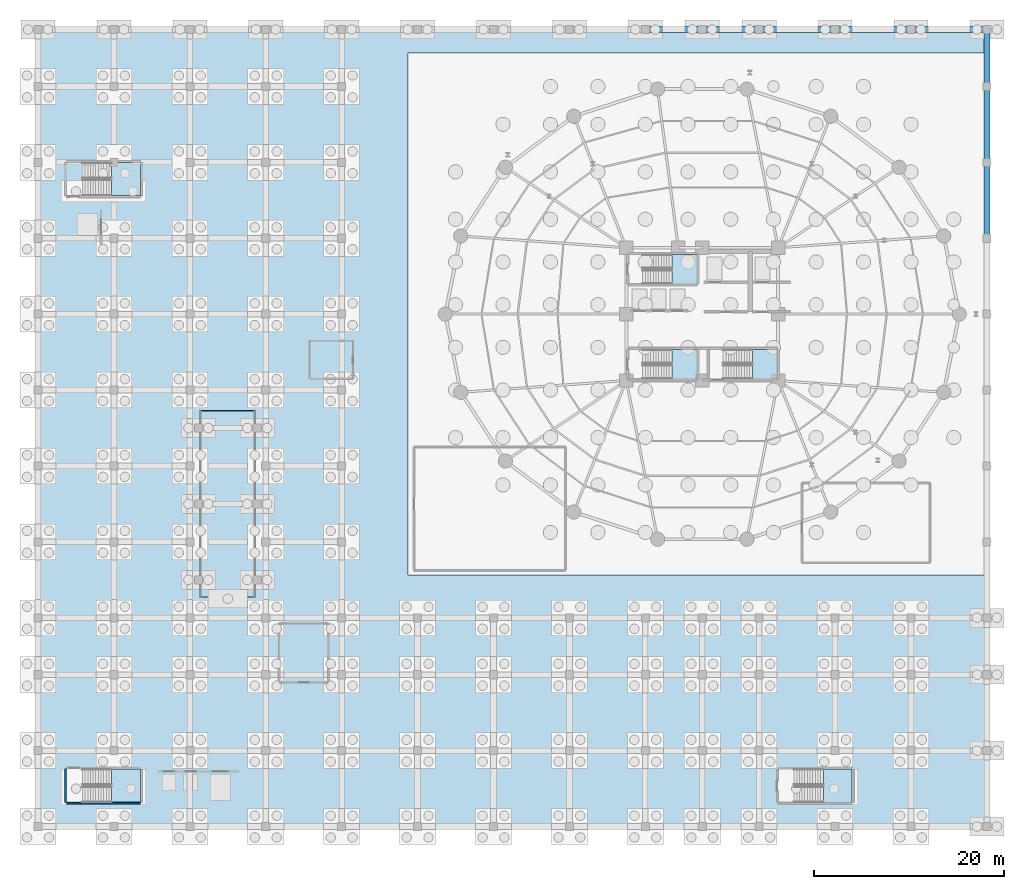
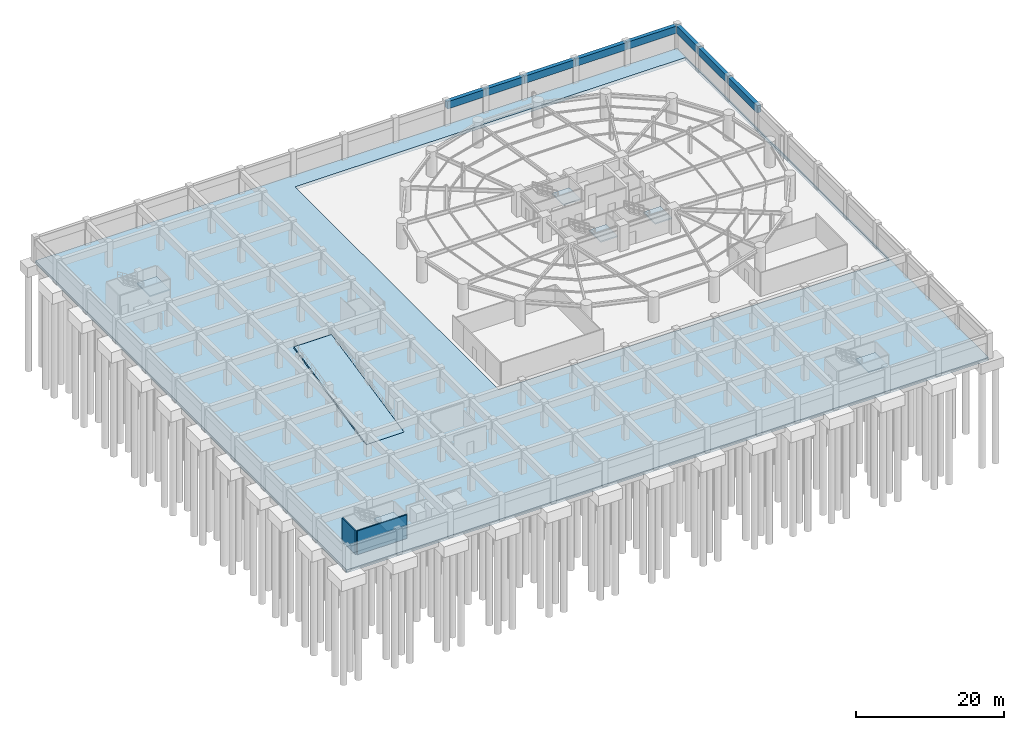
# One storey, part 11 of 23: 8 beams, 8 slabs, 2 walls, 6 elements without a shape of their own.
"""IFC4 building model written with IfcOpenShell, lengths in metres."""

from ifc_helpers import new_model, si_unit, direction, frame, frame_2d, origin, origin_2d, place, context, subcontext, project, spatial, polyline, rectangle, outline, extrude, material, layer, layer_set, material_profile, profile_set, type_object, element, aggregate, save


model = new_model("IFC4")

# Units and contexts
model_context = context("Model", 3, precision=1e-05, world=origin(), true_north=direction((0.0, 1.0)))
body_context = subcontext(model_context, "Body", "Model", "MODEL_VIEW")
ifc_project = project(units=[si_unit("LENGTHUNIT", "METRE"), si_unit("AREAUNIT", "SQUARE_METRE"), si_unit("VOLUMEUNIT", "CUBIC_METRE"), si_unit("PLANEANGLEUNIT", "RADIAN"), si_unit("MASSUNIT", "GRAM", prefix="KILO")], contexts=[model_context])

# Site, building, storey
site_placement = place(None, origin())
site = spatial("IfcSite", under=ifc_project, at=site_placement, CompositionType="ELEMENT")
building_placement = place(site_placement, origin())
building = spatial("IfcBuilding", under=site, at=building_placement, Name="Kelanora Arch Commons", CompositionType="ELEMENT")
storey_placement = place(building_placement, frame((0.0, 0.0, -8.39990234375)))
storey = spatial("IfcBuildingStorey", under=building, at=storey_placement, Name="B02", CompositionType="ELEMENT", Elevation=-8.39990234375)

# Beams
ifc_material_1 = material(Name="Concrete C45/55", Category="concrete")
ifc_material_profile = material_profile(ifc_material_1, rectangle(XDim=0.60009765625, YDim=1.199951171875, at=origin_2d()), Name="RCB600x1200")
ifc_profile_set = profile_set([ifc_material_profile], Name="Concrete C45/55")
beam_type = type_object("IfcBeamType", Name="BM-BSMT-RC", PredefinedType="BEAM", material=ifc_profile_set)
for number, where, z_axis, x_axis, name in (
    (1, (68.0, 88.0, 3.2998046875), (1.0, 0.0, 0.0), (0.0, 1.0, 0.0), "Market/Basement Frame Beam 133 B02"),
    (2, (74.0, 88.0, 3.2998046875), (1.0, 0.0, 0.0), (0.0, 1.0, 0.0), "Market/Basement Frame Beam 141 B02"),
):
    element("IfcBeam", number, at=place(storey_placement, frame(where, z_axis=z_axis, x_axis=x_axis)), inside=storey, type_object=beam_type, Name=name, PredefinedType="BEAM", context=body_context, shape_type="SweptSolid", body=[
        extrude(rectangle(XDim=0.60009765625, YDim=1.199951171875, at=origin_2d()), origin(), (0.0, 0.0, 1.0), 6.0),
    ])
for number, where, z_axis, x_axis, name in (
    (3, (80.0, 88.0, 3.2998046875), (1.0, 0.0, 0.0), (0.0, 1.0, 0.0), "Market/Basement Frame Beam 149 B02"),
    (4, (88.0, 88.0, 3.2998046875), (1.0, 0.0, 0.0), (0.0, 1.0, 0.0), "Market/Basement Frame Beam 156 B02"),
    (5, (96.0, 88.0, 3.2998046875), (1.0, 0.0, 0.0), (0.0, 1.0, 0.0), "Market/Basement Frame Beam 164 B02"),
    (6, (104.0, 66.0, 3.2998046875), (0.0, 1.0, 0.0), (-1.0, 0.0, 0.0), "Market/Basement Frame Beam 173 B02"),
    (7, (104.0, 74.0, 3.2998046875), (0.0, 1.0, 0.0), (-1.0, 0.0, 0.0), "Market/Basement Frame Beam 174 B02"),
):
    element("IfcBeam", number, at=place(storey_placement, frame(where, z_axis=z_axis, x_axis=x_axis)), inside=storey, type_object=beam_type, Name=name, PredefinedType="BEAM", context=body_context, shape_type="SweptSolid", body=[
        extrude(rectangle(XDim=0.60009765625, YDim=1.199951171875, at=origin_2d()), origin(), (0.0, 0.0, 1.0), 8.0),
    ])
beam_placement = place(storey_placement, frame((104.0, 82.0, 3.2998046875), z_axis=(0.0, 1.0, 0.0), x_axis=(-1.0, 0.0, 0.0)))
element("IfcBeam", 8, at=beam_placement, inside=storey, type_object=beam_type, Name="Market/Basement Frame Beam 175 B02", PredefinedType="BEAM", context=body_context, shape_type="SweptSolid", body=[
    extrude(rectangle(XDim=0.60009765625, YDim=1.199951171875, at=origin_2d()), origin(), (0.0, 0.0, 1.0), 6.0),
])

# Slab
ifc_layer_1 = layer(ifc_material_1, 0.5)
ifc_layer_set_1 = layer_set([ifc_layer_1], Name="Concrete C45/55")
slab_type_1 = type_object("IfcSlabType", Name="SLB-BSMT-BASE", PredefinedType="BASESLAB", material=ifc_layer_set_1)
slab_1_placement = place(storey_placement, frame((0.0, 0.0, -0.5)))
element("IfcSlab", 9, at=slab_1_placement, inside=storey, type_object=slab_type_1, Name="Basement B02 Structural Base Slab", PredefinedType="BASESLAB", context=body_context, shape_type="SweptSolid", body=[
    extrude(outline(polyline([(4.0, 4.0), (104.0, 4.0), (104.0, 88.0), (4.0, 88.0), (4.0, 4.0)]), holes=[polyline([(26.93994140625, 29.64990234375), (26.93994140625, 28.199951171875), (21.06005859375, 28.199951171875), (21.06005859375, 29.64990234375), (26.93994140625, 29.64990234375)]), polyline([(43.0, 85.5), (103.820068359375, 85.5), (103.820068359375, 30.5), (43.0, 30.5), (43.0, 85.5)])]), origin(), (0.0, 0.0, 1.0), 0.5),
])

# Stair, slab
ifc_material_2 = material(Name="Concrete C40/50", Category="concrete")
stair_type = type_object("IfcStairType", Name="STR-DL-420", PredefinedType="HALF_TURN_STAIR", material=ifc_material_2)
stair_1_placement = place(storey_placement, origin())
stair_1 = element("IfcStair", 10, at=stair_1_placement, inside=storey, type_object=stair_type, Name="B02 ST-T1", PredefinedType="HALF_TURN_STAIR")
ifc_layer_2 = layer(ifc_material_2, 0.199951171875)
ifc_layer_set_2 = layer_set([ifc_layer_2], Name="Concrete C40/50")
slab_type_2 = type_object("IfcSlabType", Name="SLB-STAIR-LND", PredefinedType="LANDING", material=ifc_layer_set_2)
slab_2_placement = place(storey_placement, frame((0.0, 0.0, 1.89990234375)))
slab_2 = element("IfcSlab", 11, at=slab_2_placement, type_object=slab_type_2, Name="ST-T1 landing 1", PredefinedType="LANDING", context=body_context, shape_type="SweptSolid", body=[
    extrude(outline(polyline([(70.800048828125, 61.179931640625), (73.43994140625, 61.179931640625), (73.43994140625, 64.2900390625), (70.800048828125, 64.2900390625), (70.800048828125, 61.179931640625)])), origin(), (0.0, 0.0, 1.0), 0.199951171875),
])
aggregate(stair_1, [slab_2])

stair_2_placement = place(storey_placement, origin())
stair_2 = element("IfcStair", 12, at=stair_2_placement, inside=storey, type_object=stair_type, Name="B02 ST-T2", PredefinedType="HALF_TURN_STAIR")
slab_3_placement = place(storey_placement, frame((0.0, 0.0, 1.89990234375)))
slab_3 = element("IfcSlab", 13, at=slab_3_placement, type_object=slab_type_2, Name="ST-T2 landing 1", PredefinedType="LANDING", context=body_context, shape_type="SweptSolid", body=[
    extrude(outline(polyline([(79.280029296875, 51.179931640625), (81.919921875, 51.179931640625), (81.919921875, 54.2900390625), (79.280029296875, 54.2900390625), (79.280029296875, 51.179931640625)])), origin(), (0.0, 0.0, 1.0), 0.199951171875),
])
aggregate(stair_2, [slab_3])

stair_3_placement = place(storey_placement, origin())
stair_3 = element("IfcStair", 14, at=stair_3_placement, inside=storey, type_object=stair_type, Name="B02 ST-T3", PredefinedType="HALF_TURN_STAIR")
slab_4_placement = place(storey_placement, frame((0.0, 0.0, 1.89990234375)))
slab_4 = element("IfcSlab", 15, at=slab_4_placement, type_object=slab_type_2, Name="ST-T3 landing 1", PredefinedType="LANDING", context=body_context, shape_type="SweptSolid", body=[
    extrude(outline(polyline([(70.800048828125, 51.179931640625), (73.43994140625, 51.179931640625), (73.43994140625, 54.2900390625), (70.800048828125, 54.2900390625), (70.800048828125, 51.179931640625)])), origin(), (0.0, 0.0, 1.0), 0.199951171875),
])
aggregate(stair_3, [slab_4])

stair_4_placement = place(storey_placement, origin())
stair_4 = element("IfcStair", 16, at=stair_4_placement, inside=storey, type_object=stair_type, Name="B02 ST-M1", PredefinedType="HALF_TURN_STAIR")
slab_5_placement = place(storey_placement, frame((0.0, 0.0, 1.89990234375)))
slab_5 = element("IfcSlab", 17, at=slab_5_placement, type_object=slab_type_2, Name="ST-M1 landing 1", PredefinedType="LANDING", context=body_context, shape_type="SweptSolid", body=[
    extrude(outline(polyline([(11.760009765625, 6.56005859375), (14.800048828125, 6.56005859375), (14.800048828125, 10.070068359375), (11.760009765625, 10.070068359375), (11.760009765625, 6.56005859375)])), origin(), (0.0, 0.0, 1.0), 0.199951171875),
])
aggregate(stair_4, [slab_5])

stair_5_placement = place(storey_placement, origin())
stair_5 = element("IfcStair", 18, at=stair_5_placement, inside=storey, type_object=stair_type, Name="B02 ST-M2", PredefinedType="HALF_TURN_STAIR")
slab_6_placement = place(storey_placement, frame((0.0, 0.0, 1.89990234375)))
slab_6 = element("IfcSlab", 19, at=slab_6_placement, type_object=slab_type_2, Name="ST-M2 landing 1", PredefinedType="LANDING", context=body_context, shape_type="SweptSolid", body=[
    extrude(outline(polyline([(86.760009765625, 6.56005859375), (89.800048828125, 6.56005859375), (89.800048828125, 10.070068359375), (86.760009765625, 10.070068359375), (86.760009765625, 6.56005859375)])), origin(), (0.0, 0.0, 1.0), 0.199951171875),
])
aggregate(stair_5, [slab_6])

stair_6_placement = place(storey_placement, origin())
stair_6 = element("IfcStair", 20, at=stair_6_placement, inside=storey, type_object=stair_type, Name="B02 ST-M3", PredefinedType="HALF_TURN_STAIR")
slab_7_placement = place(storey_placement, frame((0.0, 0.0, 1.89990234375)))
slab_7 = element("IfcSlab", 21, at=slab_7_placement, type_object=slab_type_2, Name="ST-M3 landing 1", PredefinedType="LANDING", context=body_context, shape_type="SweptSolid", body=[
    extrude(outline(polyline([(11.760009765625, 70.47998046875), (14.800048828125, 70.47998046875), (14.800048828125, 73.989990234375), (11.760009765625, 73.989990234375), (11.760009765625, 70.47998046875)])), origin(), (0.0, 0.0, 1.0), 0.199951171875),
])
aggregate(stair_6, [slab_7])

# Slab
ifc_layer_3 = layer(ifc_material_2, 0.280029296875)
ifc_layer_set_3 = layer_set([ifc_layer_3], Name="Concrete C40/50")
slab_type_3 = type_object("IfcSlabType", Name="SLB-VEH-RAMP", PredefinedType="FLOOR", material=ifc_layer_set_3)
slab_8_placement = place(storey_placement, frame((21.080078125, 28.199951171875, 0.0), z_axis=(0.0, -0.209525761618, 0.977803127024), x_axis=(1.0, 0.0, 0.0)))
element("IfcSlab", 22, at=slab_8_placement, inside=storey, type_object=slab_type_3, Name="Basement Two-Way Structural Concrete Vehicle Ramp Slab B02", PredefinedType="FLOOR", context=body_context, shape_type="SweptSolid", body=[
    extrude(outline(polyline([(0.0, 0.0), (5.83984375, 0.0), (5.83984375, 20.045034746307397), (0.0, 20.045034746307397), (0.0, 0.0)])), origin(), (0.0, 0.0, -1.0), 0.280029296875),
])

# Walls
ifc_layer_4 = layer(ifc_material_2, 0.199951171875)
ifc_layer_set_4 = layer_set([ifc_layer_4], Name="Concrete C40/50")
wall_type = type_object("IfcWallType", Name="W-STAIR-200", PredefinedType="SHEAR", material=ifc_layer_set_4)
wall_1_placement = place(storey_placement, frame((7.02001953125, 6.4599609375, 0.0), z_axis=(0.0, 0.0, 1.0), x_axis=(1.0, 0.0, 0.0)))
element("IfcWall", 23, at=wall_1_placement, inside=storey, type_object=wall_type, Name="Stair ST-M1 Shaft Wall S B02", PredefinedType="SHEAR", context=body_context, shape_type="SweptSolid", body=[
    extrude(rectangle(XDim=7.760009765625, YDim=0.199951171875, at=frame_2d((3.8798828125, 0.0))), origin(), (0.0, 0.0, 1.0), 3.89990234375),
])
wall_2_placement = place(storey_placement, frame((6.89990234375, 10.050048828125, 0.0), z_axis=(0.0, 0.0, 1.0), x_axis=(0.0, -1.0, 0.0)))
element("IfcWall", 24, at=wall_2_placement, inside=storey, type_object=wall_type, Name="Stair ST-M1 Shaft Wall W B02", PredefinedType="SHEAR", context=body_context, shape_type="SweptSolid", body=[
    extrude(rectangle(XDim=3.469970703125, YDim=0.199951171875, at=frame_2d((1.73486328125, 0.0))), origin(), (0.0, 0.0, 1.0), 3.89990234375),
])

save(model, "model.ifc")
